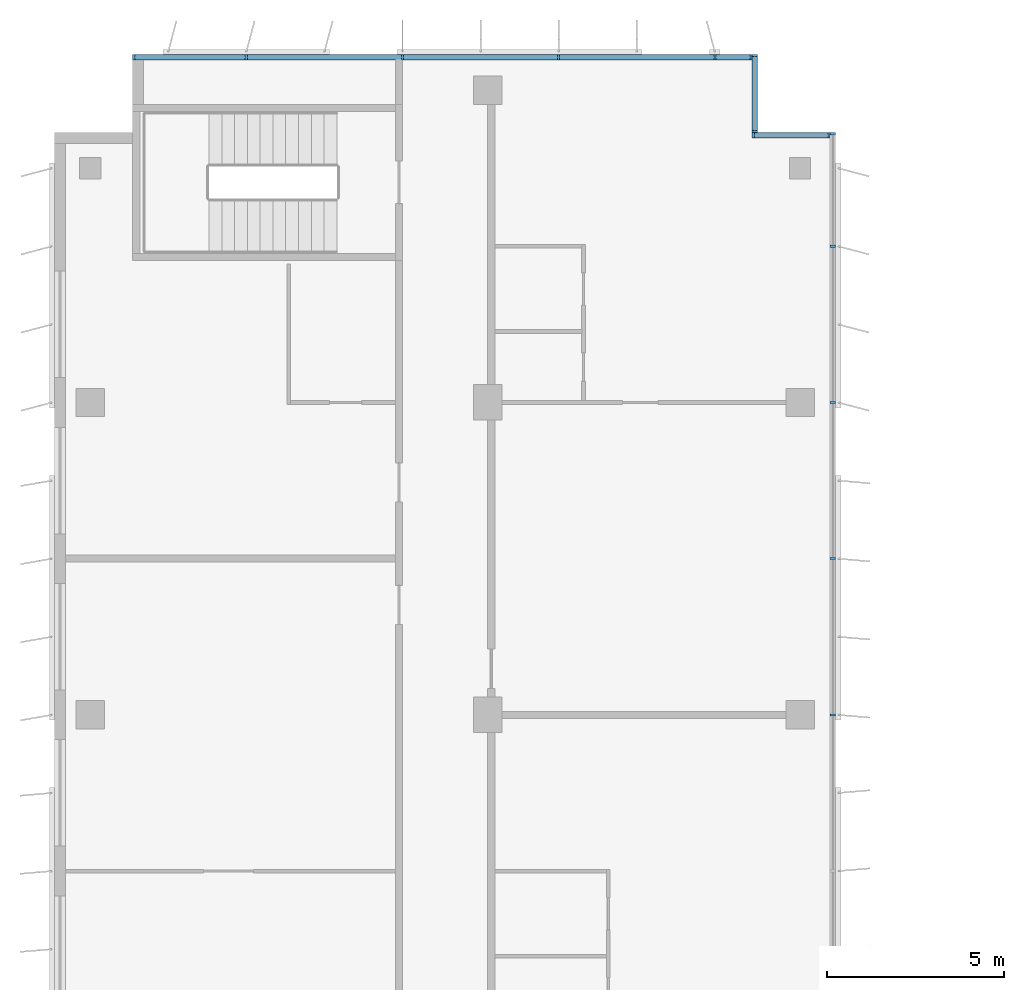
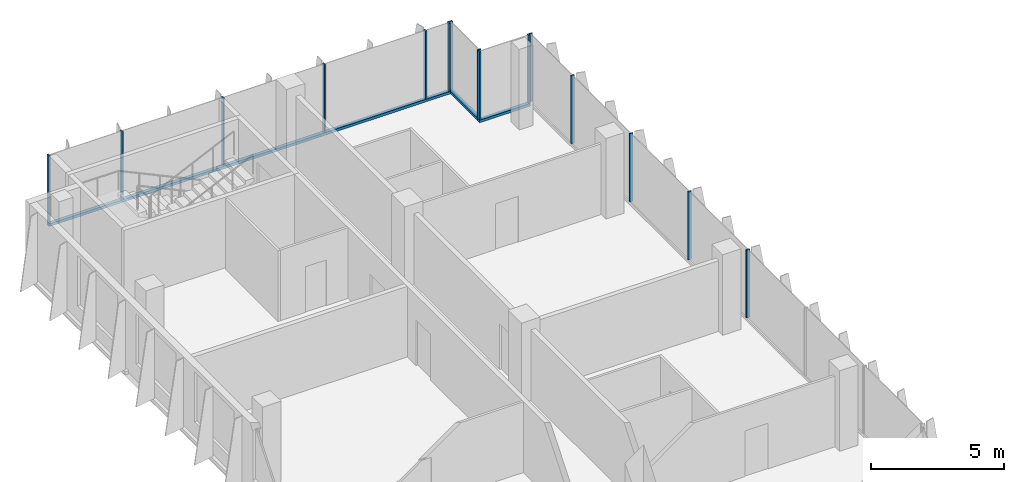
# One storey, part 6 of 15: 18 members, 4 elements without a shape of their own.
"""IFC4 building model written with IfcOpenShell, lengths in metres."""

from ifc_helpers import new_model, si_unit, direction, frame, origin, origin_2d, place, context, subcontext, project, spatial, rectangle, extrude, source, transform, mapped, material, material_profile, profile_set, type_object, element, aggregate, save


model = new_model("IFC4")

# Units and contexts
model_context = context("Model", 3, precision=1e-05, world=origin(), true_north=direction((0.0, 1.0)))
body_context = subcontext(model_context, "Body", "Model", "MODEL_VIEW")
ifc_project = project(units=[si_unit("LENGTHUNIT", "METRE"), si_unit("AREAUNIT", "SQUARE_METRE"), si_unit("VOLUMEUNIT", "CUBIC_METRE"), si_unit("PLANEANGLEUNIT", "RADIAN"), si_unit("MASSUNIT", "GRAM", prefix="KILO")], contexts=[model_context])

# Site, building, storey
site_placement = place(None, origin())
site = spatial("IfcSite", under=ifc_project, at=site_placement, CompositionType="ELEMENT")
building_placement = place(site_placement, origin())
building = spatial("IfcBuilding", under=site, at=building_placement, Name="Kemantara Hotel Tower", CompositionType="ELEMENT")
storey_placement = place(building_placement, frame((0.0, 0.0, 305.5)))
storey = spatial("IfcBuildingStorey", under=building, at=storey_placement, Name="L77", CompositionType="ELEMENT", Elevation=305.5)

# Curtain wall, member
ifc_material_1 = material(Name="Low-E tinted double insulated glass 36 mm", Category="glass")
curtain_wall_type = type_object("IfcCurtainWallType", Name="TOWER CURTAIN WALL, FRONT FACES", PredefinedType="USERDEFINED", material=ifc_material_1)
curtain_wall_1_placement = place(storey_placement, origin())
curtain_wall_1 = element("IfcCurtainWall", 1, at=curtain_wall_1_placement, inside=storey, type_object=curtain_wall_type, Name="CW4 L77 T4-R02-1", ObjectType="TOWER CURTAIN WALL, FRONT FACES", PredefinedType="USERDEFINED")
ifc_material_2 = material(Name="Aluminium 6063-T6 bronze anodised", Category="aluminium")
ifc_material_profile_1 = material_profile(ifc_material_2, rectangle(XDim=0.14990234375, YDim=0.1201171875, at=origin_2d()), Name="TOWER CURTAIN WALL, FRONT FACES TRANSOM")
ifc_profile_set_1 = profile_set([ifc_material_profile_1], Name="Aluminium 6063-T6 bronze anodised")
member_type_1 = type_object("IfcMemberType", Name="TOWER CURTAIN WALL, FRONT FACES TRANSOM", PredefinedType="USERDEFINED", material=ifc_profile_set_1)
member_1_placement = place(storey_placement, frame((19.64990234375, 63.52490234375, 0.06005859375), z_axis=(-1.0, 0.0, 0.0), x_axis=(0.0, -1.0, 0.0)))
member_1 = element("IfcMember", 2, at=member_1_placement, type_object=member_type_1, Name="CW4 sill transom T4-R02-1", ObjectType="TRANSOM", PredefinedType="USERDEFINED", context=body_context, shape_type="SweptSolid", body=[
    extrude(rectangle(XDim=0.14990234375, YDim=0.1201171875, at=origin_2d()), origin(), (0.0, 0.0, 1.0), 17.449951171875),
])

curtain_wall_2_placement = place(storey_placement, origin())
curtain_wall_2 = element("IfcCurtainWall", 3, at=curtain_wall_2_placement, inside=storey, type_object=curtain_wall_type, Name="CW4 L77 T4-R00-1", ObjectType="TOWER CURTAIN WALL, FRONT FACES", PredefinedType="USERDEFINED")
member_2_placement = place(storey_placement, frame((21.85009765625, 61.324951171875, 0.06005859375), z_axis=(-1.0, 0.0, 0.0), x_axis=(0.0, -1.0, 0.0)))
member_2 = element("IfcMember", 4, at=member_2_placement, type_object=member_type_1, Name="CW4 sill transom T4-R00-1", ObjectType="TRANSOM", PredefinedType="USERDEFINED", context=body_context, shape_type="SweptSolid", body=[
    extrude(rectangle(XDim=0.14990234375, YDim=0.1201171875, at=origin_2d()), origin(), (0.0, 0.0, 1.0), 2.2001953125),
])

curtain_wall_3_placement = place(storey_placement, origin())
curtain_wall_3 = element("IfcCurtainWall", 5, at=curtain_wall_3_placement, inside=storey, type_object=curtain_wall_type, Name="CW4 L77 T4-R01-1", ObjectType="TOWER CURTAIN WALL, FRONT FACES", PredefinedType="USERDEFINED")
member_3_placement = place(storey_placement, frame((19.72509765625, 61.39990234375, 0.06005859375), z_axis=(0.0, 1.0, 0.0), x_axis=(-1.0, 0.0, 0.0)))
member_3 = element("IfcMember", 6, at=member_3_placement, type_object=member_type_1, Name="CW4 sill transom T4-R01-1", ObjectType="TRANSOM", PredefinedType="USERDEFINED", context=body_context, shape_type="SweptSolid", body=[
    extrude(rectangle(XDim=0.14990234375, YDim=0.1201171875, at=origin_2d()), origin(), (0.0, 0.0, 1.0), 2.2001953125),
])

# Member
ifc_material_profile_2 = material_profile(ifc_material_2, rectangle(XDim=0.14990234375, YDim=0.06005859375, at=origin_2d()), Name="TOWER CURTAIN WALL, FRONT FACES MULLION")
ifc_profile_set_2 = profile_set([ifc_material_profile_2], Name="Aluminium 6063-T6 bronze anodised")
member_type_2 = type_object("IfcMemberType", Name="TOWER CURTAIN WALL, FRONT FACES MULLION", PredefinedType="MULLION", material=ifc_profile_set_2)
shared_shape = source(origin(), body_context, "Body", "SweptSolid", [
    extrude(rectangle(XDim=0.14990234375, YDim=0.06005859375, at=origin_2d()), origin(), (0.0, 0.0, 1.0), 3.1298828125),
])
member_4_placement = place(storey_placement, frame((19.6201171875, 63.52490234375, 0.1201171875), z_axis=(0.0, 0.0, 1.0), x_axis=(0.0, -1.0, 0.0)))
member_4 = element("IfcMember", 7, at=member_4_placement, type_object=member_type_2, Name="CW4 mullion T4-R02-1.1", PredefinedType="MULLION", context=body_context, shape_type="MappedRepresentation", body=[
    mapped(shared_shape, transform((0.0, 0.0, 0.0))),
])

member_5_placement = place(storey_placement, frame((18.60009765625, 63.52490234375, 0.1201171875), z_axis=(0.0, 0.0, 1.0), x_axis=(0.0, -1.0, 0.0)))
member_5 = element("IfcMember", 8, at=member_5_placement, type_object=member_type_2, Name="CW4 mullion T4-R02-1.2", PredefinedType="MULLION", context=body_context, shape_type="MappedRepresentation", body=[
    mapped(shared_shape, transform((0.0, 0.0, 0.0))),
])

member_6_placement = place(storey_placement, frame((14.199951171875, 63.52490234375, 0.1201171875), z_axis=(0.0, 0.0, 1.0), x_axis=(0.0, -1.0, 0.0)))
member_6 = element("IfcMember", 9, at=member_6_placement, type_object=member_type_2, Name="CW4 mullion T4-R02-1.3", PredefinedType="MULLION", context=body_context, shape_type="MappedRepresentation", body=[
    mapped(shared_shape, transform((0.0, 0.0, 0.0))),
])

member_7_placement = place(storey_placement, frame((9.800048828125, 63.52490234375, 0.1201171875), z_axis=(0.0, 0.0, 1.0), x_axis=(0.0, -1.0, 0.0)))
member_7 = element("IfcMember", 10, at=member_7_placement, type_object=member_type_2, Name="CW4 mullion T4-R02-1.4", PredefinedType="MULLION", context=body_context, shape_type="MappedRepresentation", body=[
    mapped(shared_shape, transform((0.0, 0.0, 0.0))),
])

member_8_placement = place(storey_placement, frame((5.39990234375, 63.52490234375, 0.1201171875), z_axis=(0.0, 0.0, 1.0), x_axis=(0.0, -1.0, 0.0)))
member_8 = element("IfcMember", 11, at=member_8_placement, type_object=member_type_2, Name="CW4 mullion T4-R02-1.5", PredefinedType="MULLION", context=body_context, shape_type="MappedRepresentation", body=[
    mapped(shared_shape, transform((0.0, 0.0, 0.0))),
])

member_9_placement = place(storey_placement, frame((2.22998046875, 63.52490234375, 0.1201171875), z_axis=(0.0, 0.0, 1.0), x_axis=(0.0, -1.0, 0.0)))
member_9 = element("IfcMember", 12, at=member_9_placement, type_object=member_type_2, Name="CW4 mullion T4-R02-1.6", PredefinedType="MULLION", context=body_context, shape_type="MappedRepresentation", body=[
    mapped(shared_shape, transform((0.0, 0.0, 0.0))),
])

aggregate(curtain_wall_1, [member_1, member_4, member_5, member_6, member_7, member_8, member_9])

# Curtain wall, members
curtain_wall_4_placement = place(storey_placement, origin())
curtain_wall_4 = element("IfcCurtainWall", 13, at=curtain_wall_4_placement, inside=storey, type_object=curtain_wall_type, Name="CW4 L77 T4-R15-1", ObjectType="TOWER CURTAIN WALL, FRONT FACES", PredefinedType="USERDEFINED")
member_10_placement = place(storey_placement, frame((21.925048828125, 45.0, 0.1201171875), z_axis=(0.0, 0.0, 1.0), x_axis=(-1.0, 0.0, 0.0)))
member_10 = element("IfcMember", 14, at=member_10_placement, type_object=member_type_2, Name="CW4 mullion T4-R15-1.6", PredefinedType="MULLION", context=body_context, shape_type="MappedRepresentation", body=[
    mapped(shared_shape, transform((0.0, 0.0, 0.0))),
])
member_11_placement = place(storey_placement, frame((21.925048828125, 49.39990234375, 0.1201171875), z_axis=(0.0, 0.0, 1.0), x_axis=(-1.0, 0.0, 0.0)))
member_11 = element("IfcMember", 15, at=member_11_placement, type_object=member_type_2, Name="CW4 mullion T4-R15-1.7", PredefinedType="MULLION", context=body_context, shape_type="MappedRepresentation", body=[
    mapped(shared_shape, transform((0.0, 0.0, 0.0))),
])
member_12_placement = place(storey_placement, frame((21.925048828125, 53.800048828125, 0.1201171875), z_axis=(0.0, 0.0, 1.0), x_axis=(-1.0, 0.0, 0.0)))
member_12 = element("IfcMember", 16, at=member_12_placement, type_object=member_type_2, Name="CW4 mullion T4-R15-1.8", PredefinedType="MULLION", context=body_context, shape_type="MappedRepresentation", body=[
    mapped(shared_shape, transform((0.0, 0.0, 0.0))),
])
member_13_placement = place(storey_placement, frame((21.925048828125, 58.199951171875, 0.1201171875), z_axis=(0.0, 0.0, 1.0), x_axis=(-1.0, 0.0, 0.0)))
member_13 = element("IfcMember", 17, at=member_13_placement, type_object=member_type_2, Name="CW4 mullion T4-R15-1.9", PredefinedType="MULLION", context=body_context, shape_type="MappedRepresentation", body=[
    mapped(shared_shape, transform((0.0, 0.0, 0.0))),
])
member_14_placement = place(storey_placement, frame((21.925048828125, 61.3701171875, 0.1201171875), z_axis=(0.0, 0.0, 1.0), x_axis=(-1.0, 0.0, 0.0)))
member_14 = element("IfcMember", 18, at=member_14_placement, type_object=member_type_2, Name="CW4 mullion T4-R15-1.10", PredefinedType="MULLION", context=body_context, shape_type="MappedRepresentation", body=[
    mapped(shared_shape, transform((0.0, 0.0, 0.0))),
])
aggregate(curtain_wall_4, [member_10, member_11, member_12, member_13, member_14])

# Member
member_15_placement = place(storey_placement, frame((21.820068359375, 61.324951171875, 0.1201171875), z_axis=(0.0, 0.0, 1.0), x_axis=(0.0, -1.0, 0.0)))
member_15 = element("IfcMember", 19, at=member_15_placement, type_object=member_type_2, Name="CW4 mullion T4-R00-1.1", PredefinedType="MULLION", context=body_context, shape_type="MappedRepresentation", body=[
    mapped(shared_shape, transform((0.0, 0.0, 0.0))),
])

member_16_placement = place(storey_placement, frame((19.679931640625, 61.324951171875, 0.1201171875), z_axis=(0.0, 0.0, 1.0), x_axis=(0.0, -1.0, 0.0)))
member_16 = element("IfcMember", 20, at=member_16_placement, type_object=member_type_2, Name="CW4 mullion T4-R00-1.2", PredefinedType="MULLION", context=body_context, shape_type="MappedRepresentation", body=[
    mapped(shared_shape, transform((0.0, 0.0, 0.0))),
])

aggregate(curtain_wall_2, [member_2, member_15, member_16])

member_17_placement = place(storey_placement, frame((19.72509765625, 61.429931640625, 0.1201171875), z_axis=(0.0, 0.0, 1.0), x_axis=(-1.0, 0.0, 0.0)))
member_17 = element("IfcMember", 21, at=member_17_placement, type_object=member_type_2, Name="CW4 mullion T4-R01-1.1", PredefinedType="MULLION", context=body_context, shape_type="MappedRepresentation", body=[
    mapped(shared_shape, transform((0.0, 0.0, 0.0))),
])

member_18_placement = place(storey_placement, frame((19.72509765625, 63.570068359375, 0.1201171875), z_axis=(0.0, 0.0, 1.0), x_axis=(-1.0, 0.0, 0.0)))
member_18 = element("IfcMember", 22, at=member_18_placement, type_object=member_type_2, Name="CW4 mullion T4-R01-1.2", PredefinedType="MULLION", context=body_context, shape_type="MappedRepresentation", body=[
    mapped(shared_shape, transform((0.0, 0.0, 0.0))),
])

aggregate(curtain_wall_3, [member_3, member_17, member_18])

save(model, "model.ifc")
